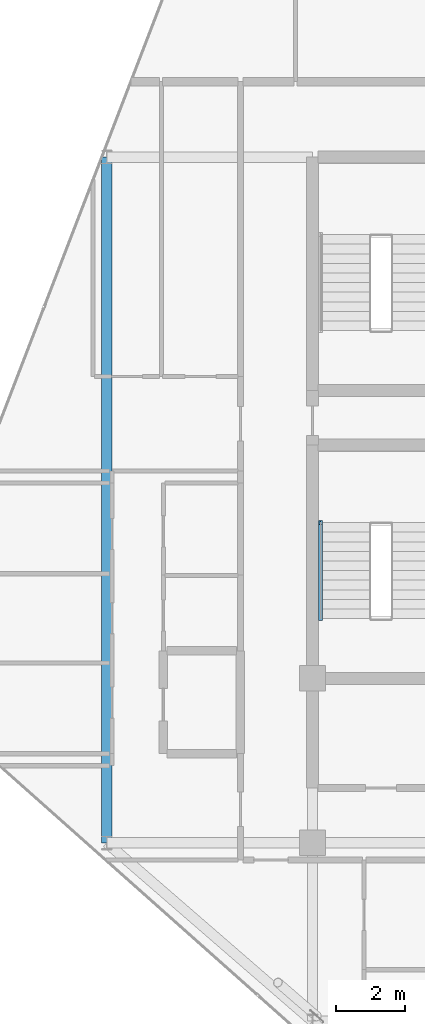
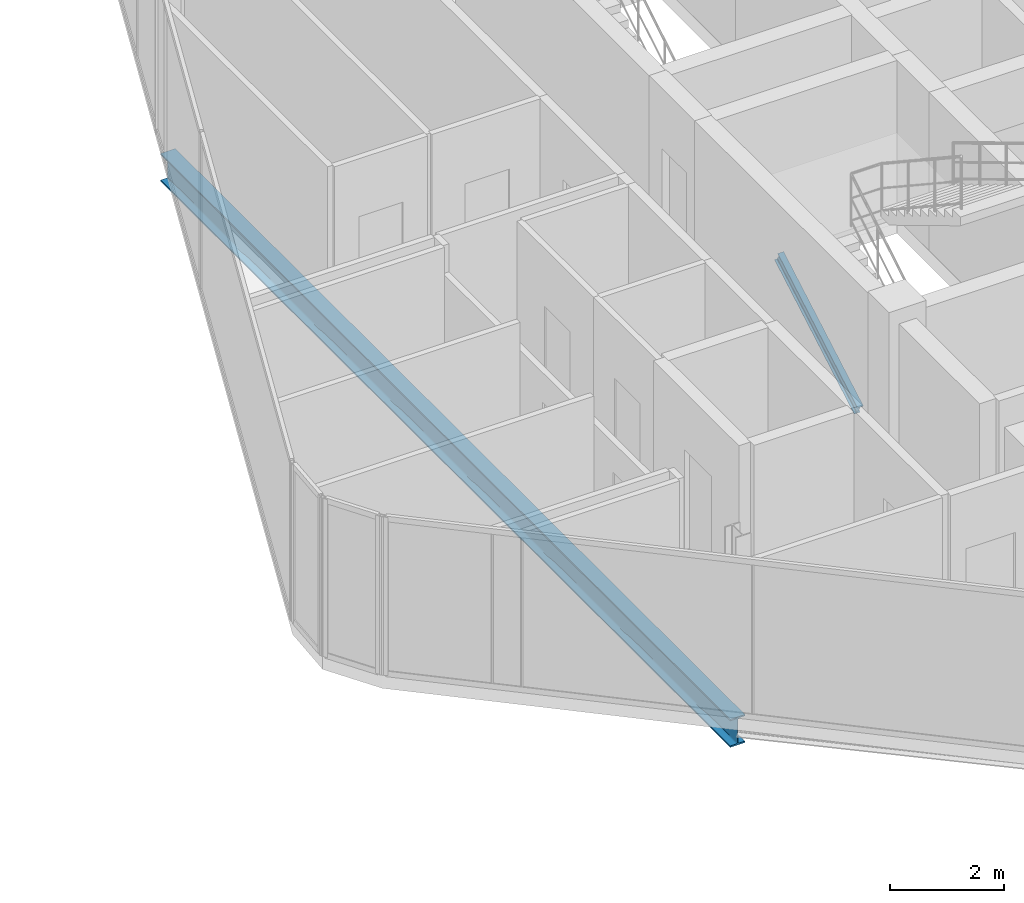
# One storey, part 9 of 27: 1 beam, 1 member.
"""IFC4 building model written with IfcOpenShell, lengths in metres."""

import ifcopenshell
import ifcopenshell.guid

model = None  # the IFC model being written
_history = None  # IfcOwnerHistory: only IFC2X3 demands one
_inside = {}  # id of a spatial element -> (the spatial element, [elements in it])
_under = {}  # id of a project, library or spatial element -> (it, [spatial elements below it])
_declared = {}  # id of a project -> (the project, [libraries it declares])
_typed = {}  # id of a type object -> (the type object, [elements of that type])
_made_of = {}  # id of a material, layer set ... -> (it, [elements and type objects made of it])


def new_model(schema):
    """Start an empty IFC model of exactly this schema.

    Asked for "IFC4X3", IfcOpenShell would pick the latest addendum, in which some entities
    have other attributes; the version numbers below select the first issue.
    IFC2X3 requires an IfcOwnerHistory on every rooted entity: one is made here for all.
    """
    global model, _history
    if schema == "IFC4X3":
        model = ifcopenshell.file(schema_version=(4, 3, 0, 0))
    else:
        model = ifcopenshell.file(schema=schema)
    _inside.clear()
    _under.clear()
    _declared.clear()
    _typed.clear()
    _made_of.clear()
    _history = None
    if model.schema == "IFC2X3":
        org = make("IfcOrganization", Name="unknown")
        user = make(
            "IfcPersonAndOrganization",
            ThePerson=make("IfcPerson", FamilyName="unknown"),
            TheOrganization=org,
        )
        app = make(
            "IfcApplication",
            ApplicationDeveloper=org,
            Version="unknown",
            ApplicationFullName="unknown",
            ApplicationIdentifier="unknown",
        )
        _history = make(
            "IfcOwnerHistory",
            OwningUser=user,
            OwningApplication=app,
            ChangeAction="ADDED",
            CreationDate=0,
        )
    return model


def make(cls, **values):
    """One entity of the class cls with the attributes given. An attribute that is None is left unset."""
    return model.create_entity(
        cls, **{name: value for name, value in values.items() if value is not None}
    )


def rooted(cls, **values):
    """An entity with a GlobalId (a new one), such as an element, a storey or a relation."""
    return make(cls, GlobalId=ifcopenshell.guid.new(), OwnerHistory=_history, **values)


def si_unit(unit_type, name, prefix=None):
    """IfcSIUnit, for example si_unit("LENGTHUNIT", "METRE", prefix="MILLI")."""
    return make("IfcSIUnit", UnitType=unit_type, Prefix=prefix, Name=name)


def assignment(units):
    """IfcUnitAssignment: the units of a project."""
    return None if units is None else make("IfcUnitAssignment", Units=units)


def point(xyz):
    """IfcCartesianPoint."""
    return None if xyz is None else make("IfcCartesianPoint", Coordinates=xyz)


def direction(xyz):
    """IfcDirection."""
    return None if xyz is None else make("IfcDirection", DirectionRatios=xyz)


def frame(location, z_axis=None, x_axis=None):
    """IfcAxis2Placement3D, a coordinate frame: its origin and axes. An axis left out is left unset."""
    return make(
        "IfcAxis2Placement3D",
        Location=point(location),
        Axis=direction(z_axis),
        RefDirection=direction(x_axis),
    )


def frame_2d(location, x_axis=None):
    """IfcAxis2Placement2D, a coordinate frame in the plane: its origin and x axis."""
    return make(
        "IfcAxis2Placement2D", Location=point(location), RefDirection=direction(x_axis)
    )


def origin():
    """The frame at (0, 0, 0) with its axes left unset."""
    return frame((0.0, 0.0, 0.0))


def origin_2d():
    """The frame at (0, 0) in the plane with its x axis left unset."""
    return frame_2d((0.0, 0.0))


def place(relative_to, where):
    """IfcLocalPlacement: puts the frame where relative to a parent placement (None: the world)."""
    return make(
        "IfcLocalPlacement", PlacementRelTo=relative_to, RelativePlacement=where
    )


def context(
    kind, dimensions, precision=None, world=None, true_north=None, identifier=None
):
    """IfcGeometricRepresentationContext, for example the 3D "Model" context."""
    return make(
        "IfcGeometricRepresentationContext",
        ContextIdentifier=identifier,
        ContextType=kind,
        CoordinateSpaceDimension=dimensions,
        Precision=precision,
        WorldCoordinateSystem=world,
        TrueNorth=true_north,
    )


def subcontext(parent, identifier, kind, view, scale=None):
    """IfcGeometricRepresentationSubContext, for example "Body" below "Model"."""
    return make(
        "IfcGeometricRepresentationSubContext",
        ContextIdentifier=identifier,
        ContextType=kind,
        ParentContext=parent,
        TargetScale=scale,
        TargetView=view,
    )


def project(units=None, contexts=None):
    """IfcProject with its units and contexts."""
    return rooted(
        "IfcProject",
        Name="project",
        RepresentationContexts=contexts,
        UnitsInContext=assignment(units),
    )


def spatial(cls, under=None, at=None, **own):
    """A site, building, storey or space (cls), placed at a placement, below another one or the project."""
    s = rooted(cls, ObjectPlacement=at, **own)
    if under is not None:
        _under.setdefault(under.id(), (under, []))[1].append(s)
    return s


def profile(cls, at=None, kind="AREA", **sizes):
    """A parametric profile (cls). Its sizes go by their IFC names, for example OverallWidth=200.0."""
    return make(cls, ProfileType=kind, Position=at, **sizes)


def i_section(**sizes):
    """IfcIShapeProfileDef."""
    return profile("IfcIShapeProfileDef", **sizes)


def extrude(swept, where, along, depth):
    """IfcExtrudedAreaSolid: the profile swept, set in the frame where, extruded along a direction by depth."""
    return make(
        "IfcExtrudedAreaSolid",
        SweptArea=swept,
        Position=where,
        ExtrudedDirection=direction(along),
        Depth=depth,
    )


def shape(context_of_items, identifier, shape_type, items):
    """IfcShapeRepresentation: the items that make up one representation, for example the "Body"."""
    return make(
        "IfcShapeRepresentation",
        ContextOfItems=context_of_items,
        RepresentationIdentifier=identifier,
        RepresentationType=shape_type,
        Items=items,
    )


def material(Name=None, Category=None):
    """IfcMaterial."""
    return make("IfcMaterial", Name=Name, Category=Category)


def material_profile(
    of_material, cross_section, Name=None, Category=None, Priority=None
):
    """IfcMaterialProfile: a cross section and its material."""
    return make(
        "IfcMaterialProfile",
        Name=Name,
        Material=of_material,
        Profile=cross_section,
        Priority=Priority,
        Category=Category,
    )


def profile_set(profiles, Name=None, composite=None):
    """IfcMaterialProfileSet."""
    return make(
        "IfcMaterialProfileSet",
        Name=Name,
        MaterialProfiles=profiles,
        CompositeProfile=composite,
    )


def made_of(thing, what):
    """Note that an element or type object is made of a material, layer set ...; save() writes the relation."""
    if what is not None:
        _made_of.setdefault(what.id(), (what, []))[1].append(thing)
    return thing


def type_object(cls, material=None, **own):
    """A type object (cls), such as IfcWallType, which elements share."""
    return made_of(rooted(cls, **own), material)


def element(
    cls,
    number,
    at=None,
    inside=None,
    cuts=None,
    type_object=None,
    material=None,
    context=None,
    identifier="Body",
    shape_type=None,
    held_by="IfcProductDefinitionShape",
    body=None,
    shapes=None,
    **own,
):
    """One element of the class cls, such as IfcWall. Its Tag is "e" and its number.

    at: its placement. inside: the storey or other place that contains it. cuts: it is an
    opening in that element (IfcRelVoidsElement). A single representation is given by context,
    identifier, shape_type and body (its items); several are given by shapes. held_by: the class
    of the entity that holds the representations. save() writes the other relations.
    """
    e = rooted(cls, Tag="e%d" % number, ObjectPlacement=at, **own)
    if body is not None:
        shapes = [shape(context, identifier, shape_type, body)]
    if shapes is not None:
        e.Representation = make(held_by, Representations=shapes)
    if inside is not None:
        _inside.setdefault(inside.id(), (inside, []))[1].append(e)
    if cuts is not None:
        rooted(
            "IfcRelVoidsElement", RelatingBuildingElement=cuts, RelatedOpeningElement=e
        )
    if type_object is not None:
        _typed.setdefault(type_object.id(), (type_object, []))[1].append(e)
    return made_of(e, material)


def aggregate(whole, parts):
    """IfcRelAggregates: a whole, such as a stair, and the parts it consists of."""
    return rooted("IfcRelAggregates", RelatingObject=whole, RelatedObjects=parts)


def save(model, path):
    """Write the relations noted so far, then the file.

    IfcRelAggregates (storeys below a building ...), IfcRelContainedInSpatialStructure (elements
    in a storey), IfcRelDefinesByType, IfcRelAssociatesMaterial and IfcRelDeclares: one each for
    every whole, place, type object, material and project.
    """
    for whole, parts in _under.values():
        aggregate(whole, parts)
    for where, things in _inside.values():
        rooted(
            "IfcRelContainedInSpatialStructure",
            RelatedElements=things,
            RelatingStructure=where,
        )
    for kind, things in _typed.values():
        rooted("IfcRelDefinesByType", RelatedObjects=things, RelatingType=kind)
    for what, things in _made_of.values():
        rooted("IfcRelAssociatesMaterial", RelatedObjects=things, RelatingMaterial=what)
    for by, libraries in _declared.values():
        rooted("IfcRelDeclares", RelatingContext=by, RelatedDefinitions=libraries)
    model.write(path)


model = new_model("IFC4")

# Units and contexts
model_context = context("Model", 3, precision=1e-05, world=origin(), true_north=direction((0.0, 1.0)))
body_context = subcontext(model_context, "Body", "Model", "MODEL_VIEW")
ifc_project = project(units=[si_unit("LENGTHUNIT", "METRE"), si_unit("AREAUNIT", "SQUARE_METRE"), si_unit("VOLUMEUNIT", "CUBIC_METRE"), si_unit("PLANEANGLEUNIT", "RADIAN"), si_unit("MASSUNIT", "GRAM", prefix="KILO")], contexts=[model_context])

# Site, building, storey
site_placement = place(None, origin())
site = spatial("IfcSite", under=ifc_project, at=site_placement, CompositionType="ELEMENT")
building_placement = place(site_placement, origin())
building = spatial("IfcBuilding", under=site, at=building_placement, Name="Keshet Zoharim Tower", CompositionType="ELEMENT")
storey_placement = place(building_placement, frame((0.0, 0.0, 247.300048828125)))
storey = spatial("IfcBuildingStorey", under=building, at=storey_placement, Name="L61", CompositionType="ELEMENT", Elevation=247.300048828125)

# Beam
ifc_material = material(Name="Steel S355", Category="steel")
ifc_material_profile_1 = material_profile(ifc_material, i_section(OverallWidth=0.300048828125, OverallDepth=0.60009765625, WebThickness=0.015380859375, FlangeThickness=0.030029296875, FilletRadius=0.027099609375, at=origin_2d()), Name="HEB600")
ifc_profile_set_1 = profile_set([ifc_material_profile_1], Name="Steel S355")
beam_type = type_object("IfcBeamType", Name="BM-LNG-HB600", PredefinedType="BEAM", material=ifc_profile_set_1)
beam_placement = place(storey_placement, frame((9.0, 17.89990234375, -0.610107421875), z_axis=(0.0, 1.0, 0.0), x_axis=(-1.0, 0.0, 0.0)))
element("IfcBeam", 1, at=beam_placement, inside=storey, type_object=beam_type, Name="L61 Primary Girder Y-001", PredefinedType="BEAM", context=body_context, shape_type="SweptSolid", body=[
    extrude(i_section(OverallWidth=0.300048828125, OverallDepth=0.60009765625, WebThickness=0.015380859375, FlangeThickness=0.030029296875, FilletRadius=0.027099609375, at=origin_2d()), origin(), (0.0, 0.0, 1.0), 20.0),
])

# Member
ifc_material_profile_2 = material_profile(ifc_material, i_section(OverallWidth=0.1201171875, OverallDepth=0.239990234375, WebThickness=0.006103515625, FlangeThickness=0.009765625, FilletRadius=0.014892578125, at=origin_2d()), Name="IPE240")
ifc_profile_set_2 = profile_set([ifc_material_profile_2], Name="Steel S355")
member_type = type_object("IfcMemberType", Name="MB-STRG-IP240", PredefinedType="STRINGER", material=ifc_profile_set_2)
member_placement = place(storey_placement, frame((15.22998046875, 24.43994140625, 0.119873046875), z_axis=(0.0, 0.86689568745, 0.49848958573), x_axis=(-1.0, 0.0, 0.0)))
element("IfcMember", 2, at=member_placement, inside=storey, type_object=member_type, Name="L61 ST-01 Flight Steel Stringer", PredefinedType="STRINGER", context=body_context, shape_type="SweptSolid", body=[
    extrude(i_section(OverallWidth=0.1201171875, OverallDepth=0.239990234375, WebThickness=0.006103515625, FlangeThickness=0.009765625, FilletRadius=0.014892578125, at=origin_2d()), origin(), (0.0, 0.0, 1.0), 3.22998046875),
])

save(model, "model.ifc")
